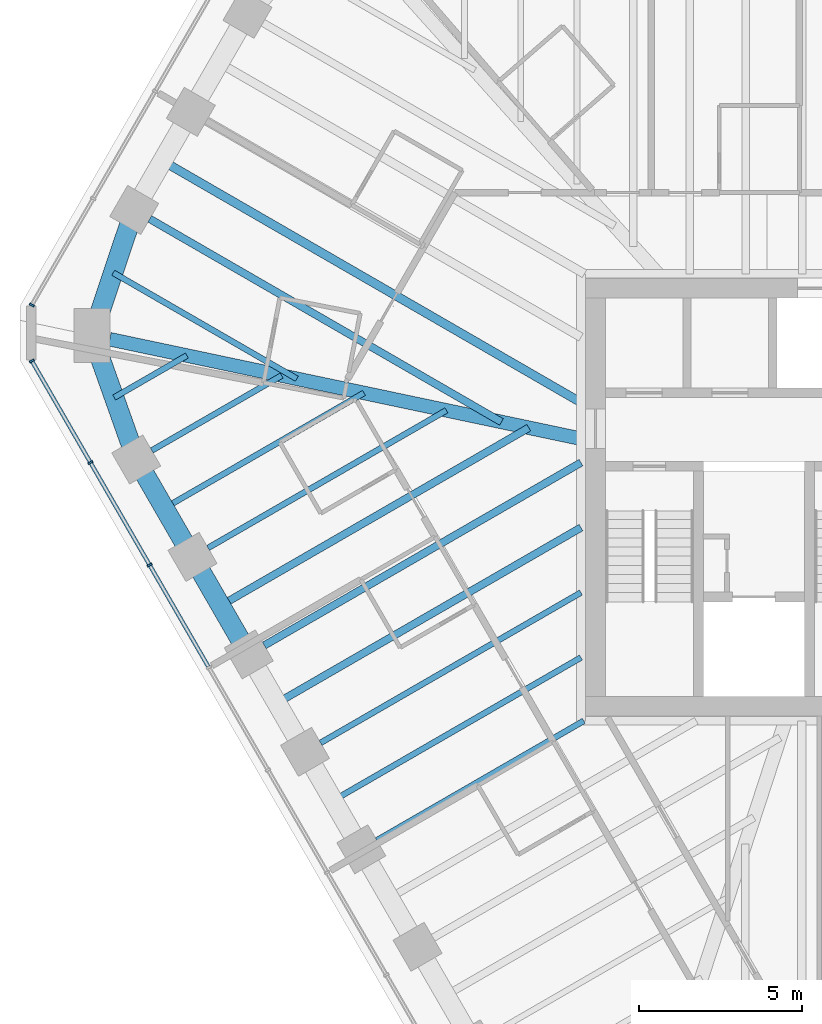
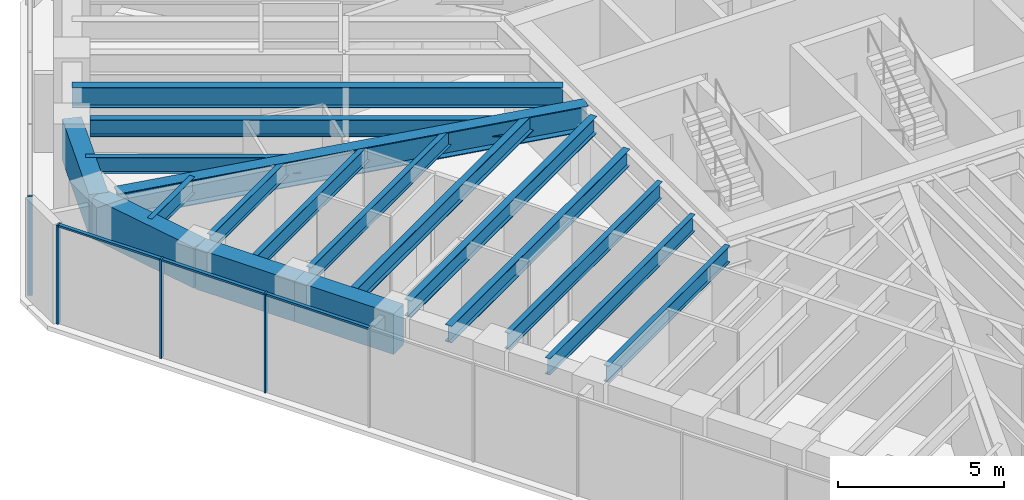
# One storey, part 3 of 14: 18 beams, 7 members, 2 elements without a shape of their own.
"""IFC4 building model written with IfcOpenShell, lengths in metres."""

from ifc_helpers import new_model, si_unit, direction, frame, origin, origin_2d, place, context, subcontext, project, spatial, rectangle, i_section, extrude, material, material_profile, profile_set, type_object, element, aggregate, save


model = new_model("IFC4")

# Units and contexts
model_context = context("Model", 3, precision=1e-05, world=origin(), true_north=direction((0.0, 1.0)))
body_context = subcontext(model_context, "Body", "Model", "MODEL_VIEW")
ifc_project = project(units=[si_unit("LENGTHUNIT", "METRE"), si_unit("AREAUNIT", "SQUARE_METRE"), si_unit("VOLUMEUNIT", "CUBIC_METRE"), si_unit("PLANEANGLEUNIT", "RADIAN"), si_unit("MASSUNIT", "GRAM", prefix="KILO")], contexts=[model_context])

# Site, building, storey
site_placement = place(None, origin())
site = spatial("IfcSite", under=ifc_project, at=site_placement, CompositionType="ELEMENT")
building_placement = place(site_placement, origin())
building = spatial("IfcBuilding", under=site, at=building_placement, Name="Sandreach Pilgrim Tower", CompositionType="ELEMENT")
storey_placement = place(building_placement, frame((0.0, 0.0, 279.800048828125)))
storey = spatial("IfcBuildingStorey", under=building, at=storey_placement, Name="L70", CompositionType="ELEMENT", Elevation=279.800048828125)

# Curtain wall, members
ifc_material_1 = material(Name="Aluminium framed curtain wall", Category="aluminium")
curtain_wall_type = type_object("IfcCurtainWallType", Name="Suite tower curtain wall", PredefinedType="NOTDEFINED", material=ifc_material_1)
curtain_wall_1_placement = place(storey_placement, origin())
curtain_wall_1 = element("IfcCurtainWall", 1, at=curtain_wall_1_placement, inside=storey, type_object=curtain_wall_type, Name="CW-4 L70 SW", PredefinedType="NOTDEFINED")
ifc_material_2 = material(Name="Aluminium extrusion", Category="aluminium")
ifc_material_profile_1 = material_profile(ifc_material_2, rectangle(XDim=0.06005859375, YDim=0.159912109375, at=origin_2d()), Name="CW-4M 60X160")
ifc_profile_set_1 = profile_set([ifc_material_profile_1], Name="Aluminium extrusion")
member_type_1 = type_object("IfcMemberType", Name="CW-4 mullion", PredefinedType="MULLION", material=ifc_profile_set_1)
member_1_placement = place(storey_placement, frame((-21.697509765625, -2.071533203125, 0.0), z_axis=(0.0, 0.0, 1.0), x_axis=(-0.5, 0.866025403784, 0.0)))
member_1 = element("IfcMember", 2, at=member_1_placement, type_object=member_type_1, Name="CW-4 mullion 8", PredefinedType="MULLION", context=body_context, shape_type="SweptSolid", body=[
    extrude(rectangle(XDim=0.06005859375, YDim=0.159912109375, at=origin_2d()), origin(), (0.0, 0.0, 1.0), 3.639892578125),
])
member_2_placement = place(storey_placement, frame((-23.508544921875, 1.06494140625, 0.0), z_axis=(0.0, 0.0, 1.0), x_axis=(-0.5, 0.866025403784, 0.0)))
member_2 = element("IfcMember", 3, at=member_2_placement, type_object=member_type_1, Name="CW-4 mullion 9", PredefinedType="MULLION", context=body_context, shape_type="SweptSolid", body=[
    extrude(rectangle(XDim=0.06005859375, YDim=0.159912109375, at=origin_2d()), origin(), (0.0, 0.0, 1.0), 3.639892578125),
])
member_3_placement = place(storey_placement, frame((-25.304443359375, 4.175537109375, 0.0), z_axis=(0.0, 0.0, 1.0), x_axis=(-0.5, 0.866025403784, 0.0)))
member_3 = element("IfcMember", 4, at=member_3_placement, type_object=member_type_1, Name="CW-4 mullion 10", PredefinedType="MULLION", context=body_context, shape_type="SweptSolid", body=[
    extrude(rectangle(XDim=0.06005859375, YDim=0.159912109375, at=origin_2d()), origin(), (0.0, 0.0, 1.0), 3.639892578125),
])

# Curtain wall, member
curtain_wall_2_placement = place(storey_placement, origin())
curtain_wall_2 = element("IfcCurtainWall", 5, at=curtain_wall_2_placement, inside=storey, type_object=curtain_wall_type, Name="CW-4 L70 NW", PredefinedType="NOTDEFINED")
member_4_placement = place(storey_placement, frame((-25.304443359375, 5.8876953125, 0.0), z_axis=(0.0, 0.0, 1.0), x_axis=(0.5, 0.866025403784, 0.0)))
member_4 = element("IfcMember", 6, at=member_4_placement, type_object=member_type_1, Name="CW-4 mullion 1", PredefinedType="MULLION", context=body_context, shape_type="SweptSolid", body=[
    extrude(rectangle(XDim=0.06005859375, YDim=0.159912109375, at=origin_2d()), origin(), (0.0, 0.0, 1.0), 3.639892578125),
])
aggregate(curtain_wall_2, [member_4])

# Member
ifc_material_3 = material(Name="Aluminium extrusion", Category="aluminium")
ifc_material_profile_2 = material_profile(ifc_material_3, rectangle(XDim=0.1201171875, YDim=0.070068359375, at=origin_2d()), Name="CW-4T 120X70")
ifc_profile_set_2 = profile_set([ifc_material_profile_2], Name="Aluminium extrusion")
member_type_2 = type_object("IfcMemberType", Name="CW-4 transom", PredefinedType="USERDEFINED", material=ifc_profile_set_2)
member_5_placement = place(storey_placement, frame((-19.901611328125, -5.182373046875, 3.60498046875), z_axis=(-0.500009219579, 0.866020080793, 0.0), x_axis=(-0.866020080793, -0.500009219579, 0.0)))
member_5 = element("IfcMember", 7, at=member_5_placement, type_object=member_type_2, Name="CW-4 head transom 7", ObjectType="TRANSOM", PredefinedType="USERDEFINED", context=body_context, shape_type="SweptSolid", body=[
    extrude(rectangle(XDim=0.1201171875, YDim=0.070068359375, at=origin_2d()), origin(), (0.0, 0.0, 1.0), 3.56201171875),
])

member_6_placement = place(storey_placement, frame((-21.71240234375, -2.045654296875, 3.60498046875), z_axis=(-0.500009219579, 0.866020080793, 0.0), x_axis=(-0.866020080793, -0.500009219579, 0.0)))
member_6 = element("IfcMember", 8, at=member_6_placement, type_object=member_type_2, Name="CW-4 head transom 8", ObjectType="TRANSOM", PredefinedType="USERDEFINED", context=body_context, shape_type="SweptSolid", body=[
    extrude(rectangle(XDim=0.1201171875, YDim=0.070068359375, at=origin_2d()), origin(), (0.0, 0.0, 1.0), 3.56201171875),
])

member_7_placement = place(storey_placement, frame((-23.5234375, 1.091064453125, 3.60498046875), z_axis=(-0.499997709859, 0.866026725994, 0.0), x_axis=(-0.866026725994, -0.499997709859, 0.0)))
member_7 = element("IfcMember", 9, at=member_7_placement, type_object=member_type_2, Name="CW-4 head transom 9", ObjectType="TRANSOM", PredefinedType="USERDEFINED", context=body_context, shape_type="SweptSolid", body=[
    extrude(rectangle(XDim=0.1201171875, YDim=0.070068359375, at=origin_2d()), origin(), (0.0, 0.0, 1.0), 3.53173828125),
])

aggregate(curtain_wall_1, [member_1, member_2, member_3, member_5, member_6, member_7])

# Beams
ifc_material_4 = material(Name="Steel ASTM A992 Grade 50", Category="steel")
ifc_material_profile_3 = material_profile(ifc_material_4, i_section(OverallWidth=0.419189453125, OverallDepth=0.927001953125, WebThickness=0.019287109375, FlangeThickness=0.031982421875, at=origin_2d()), Name="W36X231")
ifc_profile_set_3 = profile_set([ifc_material_profile_3], Name="Steel ASTM A992 Grade 50")
beam_type_1 = type_object("IfcBeamType", Name="Corner girder W36X231", PredefinedType="BEAM", material=ifc_profile_set_3)
beam_1_placement = place(storey_placement, frame((-22.917724609375, 4.838623046875, 3.176513671875), z_axis=(0.978430270369, -0.206577360876, 0.0), x_axis=(0.206577360876, 0.978430270369, 0.0)))
element("IfcBeam", 10, at=beam_1_placement, inside=storey, type_object=beam_type_1, Name="BM L70 CG35", PredefinedType="BEAM", context=body_context, shape_type="SweptSolid", body=[
    extrude(i_section(OverallWidth=0.419189453125, OverallDepth=0.927001953125, WebThickness=0.019287109375, FlangeThickness=0.031982421875, at=origin_2d()), origin(), (0.0, 0.0, 1.0), 14.888671875),
])
ifc_material_5 = material(Name="Steel ASTM A992 Grade 50", Category="steel")
ifc_material_profile_4 = material_profile(ifc_material_5, i_section(OverallWidth=0.1787109375, OverallDepth=0.60205078125, WebThickness=0.010986328125, FlangeThickness=0.014892578125, at=origin_2d()), Name="W24X62")
ifc_profile_set_4 = profile_set([ifc_material_profile_4], Name="Steel ASTM A992 Grade 50")
beam_type_2 = type_object("IfcBeamType", Name="Floor beam W24X62", PredefinedType="BEAM", material=ifc_profile_set_4)
beam_2_placement = place(storey_placement, frame((-14.741455078125, -10.5, 3.3388671875), z_axis=(0.866019920622, 0.500009496996, 0.0), x_axis=(-0.500009496996, 0.866019920622, 0.0)))
element("IfcBeam", 11, at=beam_2_placement, inside=storey, type_object=beam_type_2, Name="BM L70 F30", PredefinedType="BEAM", context=body_context, shape_type="SweptSolid", body=[
    extrude(i_section(OverallWidth=0.1787109375, OverallDepth=0.60205078125, WebThickness=0.010986328125, FlangeThickness=0.014892578125, at=origin_2d()), origin(), (0.0, 0.0, 1.0), 7.313232421875),
])
beam_3_placement = place(storey_placement, frame((-16.4638671875, -7.516357421875, 3.3388671875), z_axis=(0.866022580836, 0.500004889459, 0.0), x_axis=(-0.500004889459, 0.866022580836, 0.0)))
element("IfcBeam", 12, at=beam_3_placement, inside=storey, type_object=beam_type_2, Name="BM L70 F31", PredefinedType="BEAM", context=body_context, shape_type="SweptSolid", body=[
    extrude(i_section(OverallWidth=0.1787109375, OverallDepth=0.60205078125, WebThickness=0.010986328125, FlangeThickness=0.014892578125, at=origin_2d()), origin(), (0.0, 0.0, 1.0), 9.20361328125),
])
beam_4_placement = place(storey_placement, frame((-19.908935546875, -1.549560546875, 3.3388671875), z_axis=(0.866026819143, 0.499997548519, 0.0), x_axis=(-0.499997548519, 0.866026819143, 0.0)))
element("IfcBeam", 13, at=beam_4_placement, inside=storey, type_object=beam_type_2, Name="BM L70 F33", PredefinedType="BEAM", context=body_context, shape_type="SweptSolid", body=[
    extrude(i_section(OverallWidth=0.1787109375, OverallDepth=0.60205078125, WebThickness=0.010986328125, FlangeThickness=0.014892578125, at=origin_2d()), origin(), (0.0, 0.0, 1.0), 8.4248046875),
])
beam_5_placement = place(storey_placement, frame((-21.631591796875, 1.433837890625, 3.3388671875), z_axis=(0.866037621819, 0.499978837146, 0.0), x_axis=(-0.499978837146, 0.866037621819, 0.0)))
element("IfcBeam", 14, at=beam_5_placement, inside=storey, type_object=beam_type_2, Name="BM L70 F34", PredefinedType="BEAM", context=body_context, shape_type="SweptSolid", body=[
    extrude(i_section(OverallWidth=0.1787109375, OverallDepth=0.60205078125, WebThickness=0.010986328125, FlangeThickness=0.014892578125, at=origin_2d()), origin(), (0.0, 0.0, 1.0), 4.588623046875),
])
beam_6_placement = place(storey_placement, frame((-16.0791015625, -9.283203125, 3.3388671875), z_axis=(0.866023595995, 0.500003131169, 0.0), x_axis=(-0.500003131169, 0.866023595995, 0.0)))
element("IfcBeam", 15, at=beam_6_placement, inside=storey, type_object=beam_type_2, Name="BM L70 FM30", PredefinedType="BEAM", context=body_context, shape_type="SweptSolid", body=[
    extrude(i_section(OverallWidth=0.1787109375, OverallDepth=0.60205078125, WebThickness=0.010986328125, FlangeThickness=0.014892578125, at=origin_2d()), origin(), (0.0, 0.0, 1.0), 8.75927734375),
])
beam_7_placement = place(storey_placement, frame((-21.24658203125, -0.332763671875, 3.3388671875), z_axis=(0.866028878405, 0.499993981732, 0.0), x_axis=(-0.499993981732, 0.866028878405, 0.0)))
element("IfcBeam", 16, at=beam_7_placement, inside=storey, type_object=beam_type_2, Name="BM L70 FM33", PredefinedType="BEAM", context=body_context, shape_type="SweptSolid", body=[
    extrude(i_section(OverallWidth=0.1787109375, OverallDepth=0.60205078125, WebThickness=0.010986328125, FlangeThickness=0.014892578125, at=origin_2d()), origin(), (0.0, 0.0, 1.0), 7.056640625),
])
beam_8_placement = place(storey_placement, frame((-22.78173828125, 3.0556640625, 3.3388671875), z_axis=(0.8660004255, 0.500043261163, 0.0), x_axis=(-0.500043261163, 0.8660004255, 0.0)))
element("IfcBeam", 17, at=beam_8_placement, inside=storey, type_object=beam_type_2, Name="BM L70 FM34", PredefinedType="BEAM", context=body_context, shape_type="SweptSolid", body=[
    extrude(i_section(OverallWidth=0.1787109375, OverallDepth=0.60205078125, WebThickness=0.010986328125, FlangeThickness=0.014892578125, at=origin_2d()), origin(), (0.0, 0.0, 1.0), 2.569091796875),
])
beam_9_placement = place(storey_placement, frame((-22.8125, 6.875, 3.3388671875), z_axis=(0.866023980233, -0.500002465655, 0.0), x_axis=(0.500002465655, 0.866023980233, 0.0)))
element("IfcBeam", 18, at=beam_9_placement, inside=storey, type_object=beam_type_2, Name="BM L70 FM35", PredefinedType="BEAM", context=body_context, shape_type="SweptSolid", body=[
    extrude(i_section(OverallWidth=0.1787109375, OverallDepth=0.60205078125, WebThickness=0.010986328125, FlangeThickness=0.014892578125, at=origin_2d()), origin(), (0.0, 0.0, 1.0), 6.49072265625),
])
ifc_material_6 = material(Name="Steel ASTM A992 Grade 50", Category="steel")
ifc_material_profile_5 = material_profile(ifc_material_6, i_section(OverallWidth=0.23046875, OverallDepth=0.6171875, WebThickness=0.01318359375, FlangeThickness=0.022216796875, at=origin_2d()), Name="W24X94")
ifc_profile_set_5 = profile_set([ifc_material_profile_5], Name="Steel ASTM A992 Grade 50")
beam_type_3 = type_object("IfcBeamType", Name="Floor beam W24X94", PredefinedType="BEAM", material=ifc_profile_set_5)
beam_10_placement = place(storey_placement, frame((-18.1865234375, -4.532958984375, 3.331298828125), z_axis=(0.866030482771, 0.499991202833, 0.0), x_axis=(-0.499991202833, 0.866030482771, 0.0)))
element("IfcBeam", 19, at=beam_10_placement, inside=storey, type_object=beam_type_3, Name="BM L70 F32", PredefinedType="BEAM", context=body_context, shape_type="SweptSolid", body=[
    extrude(i_section(OverallWidth=0.23046875, OverallDepth=0.6171875, WebThickness=0.01318359375, FlangeThickness=0.022216796875, at=origin_2d()), origin(), (0.0, 0.0, 1.0), 11.192626953125),
])
beam_11_placement = place(storey_placement, frame((-21.69287109375, 8.522705078125, 3.331298828125), z_axis=(0.866028931402, -0.499993889937, 0.0), x_axis=(0.499993889937, 0.866028931402, 0.0)))
element("IfcBeam", 20, at=beam_11_placement, inside=storey, type_object=beam_type_3, Name="BM L70 F36", PredefinedType="BEAM", context=body_context, shape_type="SweptSolid", body=[
    extrude(i_section(OverallWidth=0.23046875, OverallDepth=0.6171875, WebThickness=0.01318359375, FlangeThickness=0.022216796875, at=origin_2d()), origin(), (0.0, 0.0, 1.0), 12.431396484375),
])
beam_12_placement = place(storey_placement, frame((-17.801513671875, -6.2998046875, 3.331298828125), z_axis=(0.866025958161, 0.49999903979, 0.0), x_axis=(-0.49999903979, 0.866025958161, 0.0)))
element("IfcBeam", 21, at=beam_12_placement, inside=storey, type_object=beam_type_3, Name="BM L70 FM31", PredefinedType="BEAM", context=body_context, shape_type="SweptSolid", body=[
    extrude(i_section(OverallWidth=0.23046875, OverallDepth=0.6171875, WebThickness=0.01318359375, FlangeThickness=0.022216796875, at=origin_2d()), origin(), (0.0, 0.0, 1.0), 10.748046875),
])
beam_13_placement = place(storey_placement, frame((-19.52392578125, -3.316162109375, 3.331298828125), z_axis=(0.866029205616, 0.499993414976, 0.0), x_axis=(-0.499993414976, 0.866029205616, 0.0)))
element("IfcBeam", 22, at=beam_13_placement, inside=storey, type_object=beam_type_3, Name="BM L70 FM32", PredefinedType="BEAM", context=body_context, shape_type="SweptSolid", body=[
    extrude(i_section(OverallWidth=0.23046875, OverallDepth=0.6171875, WebThickness=0.01318359375, FlangeThickness=0.022216796875, at=origin_2d()), origin(), (0.0, 0.0, 1.0), 10.893310546875),
])
ifc_material_7 = material(Name="Steel ASTM A992 Grade 50", Category="steel")
ifc_material_profile_6 = material_profile(ifc_material_7, i_section(OverallWidth=0.2666015625, OverallDepth=0.761962890625, WebThickness=0.014404296875, FlangeThickness=0.021484375, at=origin_2d()), Name="W30X116")
ifc_profile_set_6 = profile_set([ifc_material_profile_6], Name="Steel ASTM A992 Grade 50")
beam_type_4 = type_object("IfcBeamType", Name="Floor beam W30X116", PredefinedType="BEAM", material=ifc_profile_set_6)
beam_14_placement = place(storey_placement, frame((-21.302978515625, 10.29833984375, 3.259033203125), z_axis=(0.866028362181, -0.499994875871, 0.0), x_axis=(0.499994875871, 0.866028362181, 0.0)))
element("IfcBeam", 23, at=beam_14_placement, inside=storey, type_object=beam_type_4, Name="BM L70 FM36", PredefinedType="BEAM", context=body_context, shape_type="SweptSolid", body=[
    extrude(i_section(OverallWidth=0.2666015625, OverallDepth=0.761962890625, WebThickness=0.014404296875, FlangeThickness=0.021484375, at=origin_2d()), origin(), (0.0, 0.0, 1.0), 14.791259765625),
])
ifc_material_8 = material(Name="Concrete 10000 psi", Category="concrete")
ifc_material_profile_7 = material_profile(ifc_material_8, rectangle(XDim=0.60009765625, YDim=1.5, at=origin_2d()), Name="RC600X1500")
ifc_profile_set_7 = profile_set([ifc_material_profile_7], Name="Concrete 10000 psi")
beam_type_5 = type_object("IfcBeamType", Name="Spandrel beam RC600X1500", PredefinedType="SPANDREL", material=ifc_profile_set_7)
for number, where, z_axis, x_axis, name in (
    (24, (-18.662841796875, -4.80810546875, 2.889892578125), (-0.499957605418, 0.866049878924, 0.0), (-0.866049878924, -0.499957605418, 0.0), "BM L70 SP32"),
    (25, (-20.38525390625, -1.824462890625, 2.889892578125), (-0.500041441558, 0.866001476168, 0.0), (-0.866001476168, -0.500041441558, 0.0), "BM L70 SP33"),
):
    element("IfcBeam", number, at=place(storey_placement, frame(where, z_axis=z_axis, x_axis=x_axis)), inside=storey, type_object=beam_type_5, Name=name, PredefinedType="SPANDREL", context=body_context, shape_type="SweptSolid", body=[
        extrude(rectangle(XDim=0.60009765625, YDim=1.5, at=origin_2d()), origin(), (0.0, 0.0, 1.0), 3.445068359375),
    ])
beam_15_placement = place(storey_placement, frame((-22.10791015625, 1.158935546875, 2.889892578125), z_axis=(-0.33481464839, 0.94228400773, 0.0), x_axis=(-0.94228400773, -0.33481464839, 0.0)))
element("IfcBeam", 26, at=beam_15_placement, inside=storey, type_object=beam_type_5, Name="BM L70 SP34", PredefinedType="SPANDREL", context=body_context, shape_type="SweptSolid", body=[
    extrude(rectangle(XDim=0.60009765625, YDim=1.5, at=origin_2d()), origin(), (0.0, 0.0, 1.0), 4.02587890625),
])
beam_16_placement = place(storey_placement, frame((-23.455810546875, 4.952392578125, 2.889892578125), z_axis=(0.317293238289, 0.948327475578, 0.0), x_axis=(-0.948327475578, 0.317293238289, 0.0)))
element("IfcBeam", 27, at=beam_16_placement, inside=storey, type_object=beam_type_5, Name="BM L70 SP35", PredefinedType="SPANDREL", context=body_context, shape_type="SweptSolid", body=[
    extrude(rectangle(XDim=0.60009765625, YDim=1.5, at=origin_2d()), origin(), (0.0, 0.0, 1.0), 4.054931640625),
])

save(model, "model.ifc")
